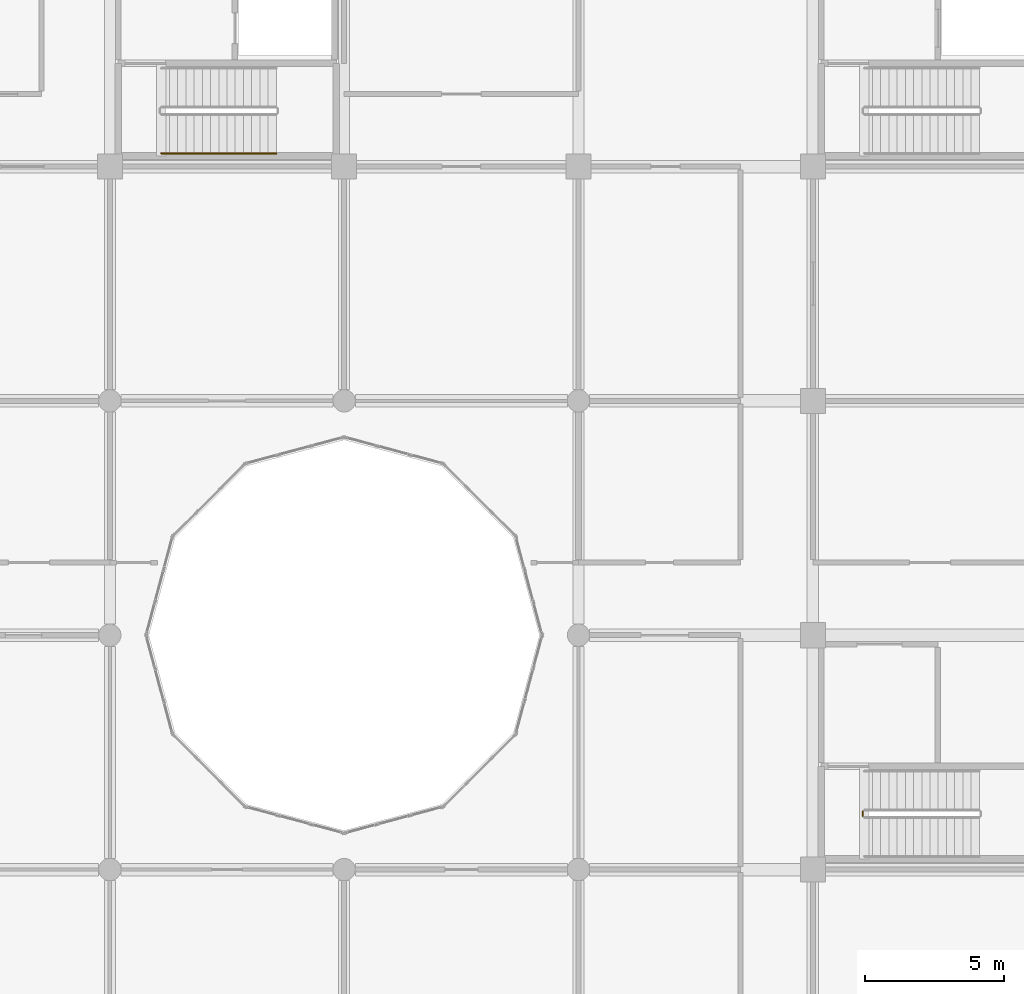
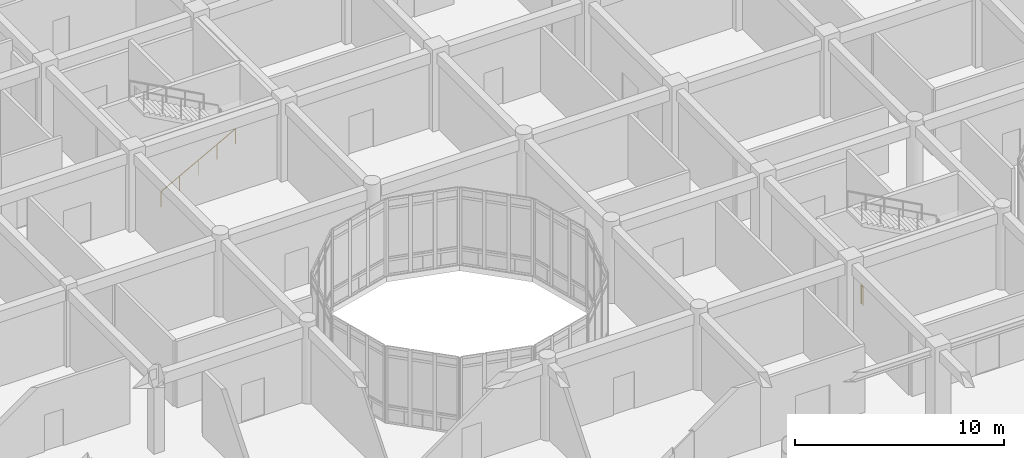
# One storey, part 127 of 138: 2 railings.
"""IFC4 building model written with IfcOpenShell, lengths in metres."""

from ifc_helpers import new_model, si_unit, direction, frame, origin, origin_2d, place, context, subcontext, project, spatial, circle, extrude, material, type_object, element, save


model = new_model("IFC4")

# Units and contexts
model_context = context("Model", 3, precision=1e-05, world=origin(), true_north=direction((0.0, 1.0)))
body_context = subcontext(model_context, "Body", "Model", "MODEL_VIEW")
ifc_project = project(units=[si_unit("LENGTHUNIT", "METRE"), si_unit("AREAUNIT", "SQUARE_METRE"), si_unit("VOLUMEUNIT", "CUBIC_METRE"), si_unit("PLANEANGLEUNIT", "RADIAN"), si_unit("MASSUNIT", "GRAM", prefix="KILO")], contexts=[model_context])

# Site, building, storey
site_placement = place(None, origin())
site = spatial("IfcSite", under=ifc_project, at=site_placement, CompositionType="ELEMENT")
building_placement = place(site_placement, origin())
building = spatial("IfcBuilding", under=site, at=building_placement, Name="Bramfleet General Hospital", CompositionType="ELEMENT")
storey_placement = place(building_placement, origin())
storey = spatial("IfcBuildingStorey", under=building, at=storey_placement, Name="L00", CompositionType="ELEMENT", Elevation=0.0)

# Railings
ifc_material_1 = material(Name="Powder-coated steel stair balustrade", Category="steel")
railing_type_1 = type_object("IfcRailingType", Name="RAIL-ST-GUARD", PredefinedType="GUARDRAIL", material=ifc_material_1)
railing_1_placement = place(storey_placement, frame((102.590087890625, 69.1201171875, 0.0)))
element("IfcRailing", 1, at=railing_1_placement, inside=storey, type_object=railing_type_1, Name="L00 ST-C11 stair guard 4", PredefinedType="GUARDRAIL", context=body_context, shape_type="SweptSolid", body=[
    extrude(circle(Radius=0.02392578125, at=origin_2d()), frame((0.0, 0.0, 1.076171875), z_axis=(0.0, 1.0, 0.0), x_axis=(-1.0, 0.0, 0.0)), (0.0, 0.0, 1.0), 0.159912109375),
    extrude(circle(Radius=0.02099609375, at=origin_2d()), origin(), (0.0, 0.0, 1.0), 1.052001953125),
    extrude(circle(Radius=0.02099609375, at=origin_2d()), frame((0.0, 0.159912109375, 0.0)), (0.0, 0.0, 1.0), 1.052001953125),
])
ifc_material_2 = material(Name="Stainless steel 1.4301 stair handrail", Category="steel")
railing_type_2 = type_object("IfcRailingType", Name="RAIL-ST-HND", PredefinedType="HANDRAIL", material=ifc_material_2)
railing_2_placement = place(storey_placement, frame((77.43994140625, 92.8701171875, 0.159912109375)))
element("IfcRailing", 2, at=railing_2_placement, inside=storey, type_object=railing_type_2, Name="L00 ST-C5 stair handrail 1", PredefinedType="HANDRAIL", context=body_context, shape_type="SweptSolid", body=[
    extrude(circle(Radius=0.02392578125, at=origin_2d()), frame((0.0, 0.0, 0.8759765625), z_axis=(0.879038868435, 0.0, 0.476750110415), x_axis=(0.0, 1.0, 0.0)), (0.0, 0.0, 1.0), 4.698486328125),
    extrude(circle(Radius=0.02099609375, at=origin_2d()), origin(), (0.0, 0.0, 1.0), 0.851806640625),
    extrude(circle(Radius=0.02099609375, at=origin_2d()), frame((1.032470703125, 0.0, 0.56005859375)), (0.0, 0.0, 1.0), 0.851806640625),
    extrude(circle(Radius=0.02099609375, at=origin_2d()), frame((2.06494140625, 0.0, 1.1201171875)), (0.0, 0.0, 1.0), 0.851806640625),
    extrude(circle(Radius=0.02099609375, at=origin_2d()), frame((3.09765625, 0.0, 1.679931640625)), (0.0, 0.0, 1.0), 0.851806640625),
    extrude(circle(Radius=0.02099609375, at=origin_2d()), frame((4.130126953125, 0.0, 2.239990234375)), (0.0, 0.0, 1.0), 0.851806640625),
])

save(model, "model.ifc")
